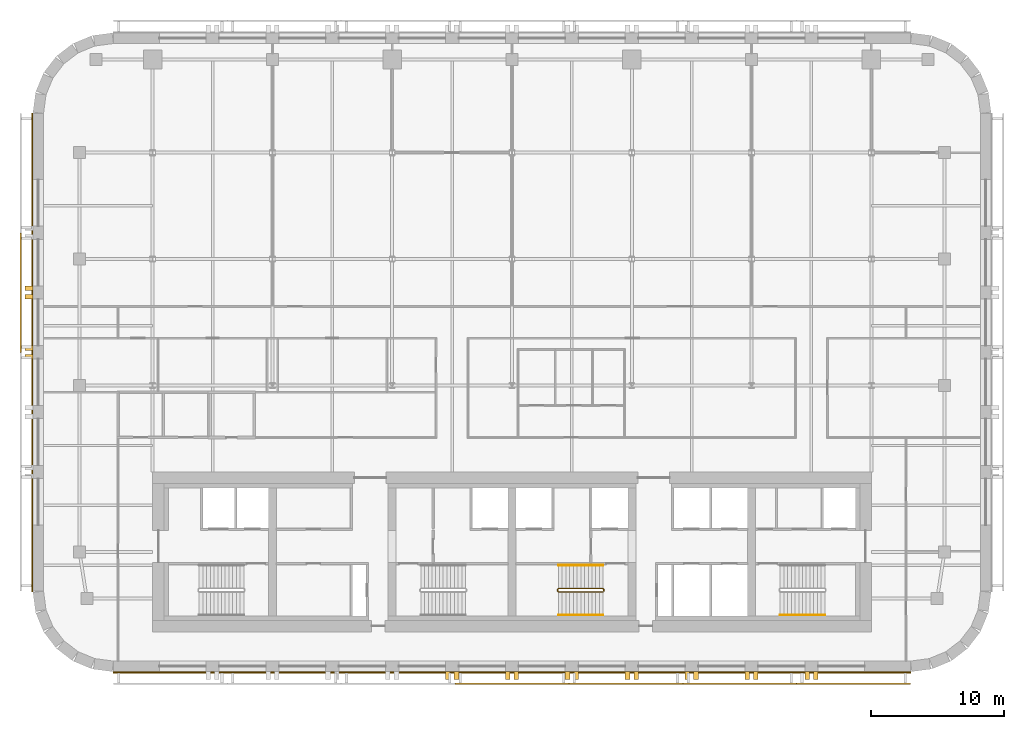
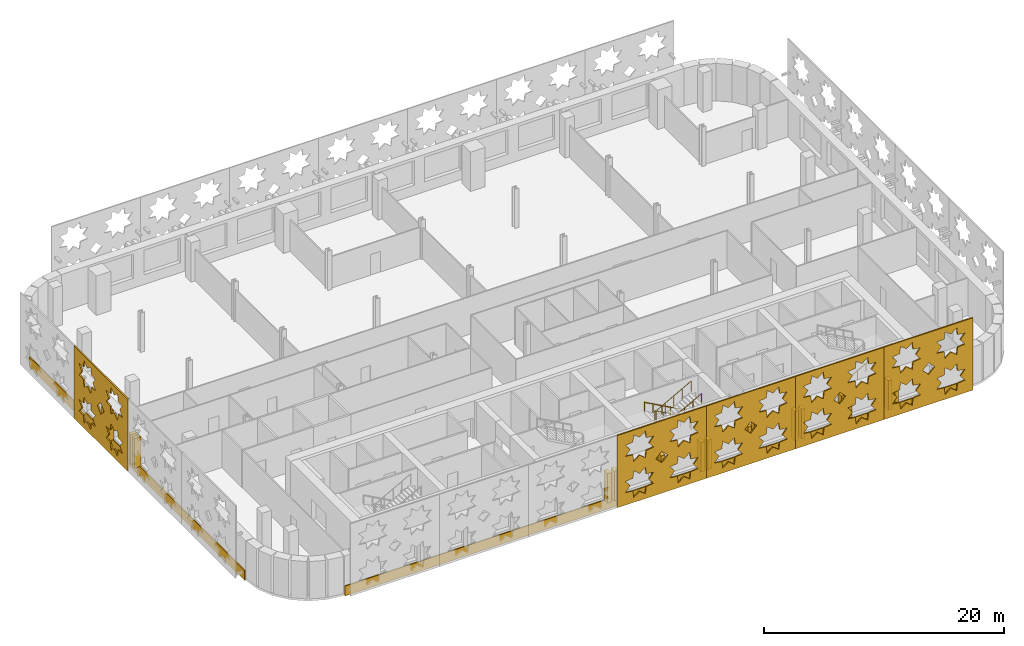
# One storey, part 10 of 12: 25 coverings, 4 railings.
"""IFC4 building model written with IfcOpenShell, lengths in metres."""

from ifc_helpers import new_model, si_unit, direction, frame, origin, origin_2d, place, context, subcontext, project, spatial, polyline, circle, outline, extrude, material, layer, layer_set, type_object, element, save


model = new_model("IFC4")

# Units and contexts
model_context = context("Model", 3, precision=1e-05, world=origin(), true_north=direction((0.0, 1.0)))
body_context = subcontext(model_context, "Body", "Model", "MODEL_VIEW")
ifc_project = project(units=[si_unit("LENGTHUNIT", "METRE"), si_unit("AREAUNIT", "SQUARE_METRE"), si_unit("VOLUMEUNIT", "CUBIC_METRE"), si_unit("PLANEANGLEUNIT", "RADIAN"), si_unit("MASSUNIT", "GRAM", prefix="KILO")], contexts=[model_context])

# Site, building, storey
site_placement = place(None, origin())
site = spatial("IfcSite", under=ifc_project, at=site_placement, CompositionType="ELEMENT")
building_placement = place(site_placement, origin())
building = spatial("IfcBuilding", under=site, at=building_placement, Name="Zellij Exchange Tower", CompositionType="ELEMENT")
storey_placement = place(building_placement, frame((0.0, 0.0, 196.5)))
storey = spatial("IfcBuildingStorey", under=building, at=storey_placement, Name="L45", CompositionType="ELEMENT", Elevation=196.5)

# Railings
ifc_material_1 = material(Name="Stainless steel", Category="steel")
railing_type_1 = type_object("IfcRailingType", Name="CORE-RG stair guard", PredefinedType="GUARDRAIL", material=ifc_material_1)
railing_1_placement = place(storey_placement, frame((6.89990234375, -10.800048828125, 0.0)))
element("IfcRailing", 1, at=railing_1_placement, inside=storey, type_object=railing_type_1, Name="ST3 stair guard L45", PredefinedType="GUARDRAIL", context=body_context, shape_type="SweptSolid", body=[
    extrude(circle(Radius=0.02392578125, at=origin_2d()), frame((0.0, 0.0, 1.076171875), z_axis=(0.0, -1.0, 0.0), x_axis=(1.0, 0.0, 0.0)), (0.0, 0.0, 1.0), 0.14990234375),
    extrude(circle(Radius=0.02392578125, at=origin_2d()), frame((0.0, -0.14990234375, 1.076171875), z_axis=(-0.193691321961, 0.777613689637, 0.598164376644), x_axis=(-0.970351222016, -0.241699205484, 0.0)), (0.0, 0.0, 1.0), 0.257080078125),
    extrude(circle(Radius=0.02392578125, at=origin_2d()), frame((-0.0498046875, 0.050048828125, 1.22998046875), z_axis=(-0.876421534553, 0.0, 0.481544695509), x_axis=(0.0, -1.0, 0.0)), (0.0, 0.0, 1.0), 3.833984375),
    extrude(circle(Radius=0.02392578125, at=origin_2d()), frame((-3.409912109375, 0.050048828125, 3.076171875), z_axis=(-0.707106781187, -0.707106781187, 0.0), x_axis=(0.707106781187, -0.707106781187, 0.0)), (0.0, 0.0, 1.0), 0.07080078125),
    extrude(circle(Radius=0.02392578125, at=origin_2d()), frame((-3.4599609375, 0.0, 3.076171875), z_axis=(0.0, -1.0, 0.0), x_axis=(1.0, 0.0, 0.0)), (0.0, 0.0, 1.0), 0.14990234375),
    extrude(circle(Radius=0.02392578125, at=origin_2d()), frame((-3.4599609375, -0.14990234375, 3.076171875), z_axis=(0.295599637079, -0.295599637079, 0.908428152975), x_axis=(0.707106781187, 0.707106781187, 0.0)), (0.0, 0.0, 1.0), 0.16943359375),
    extrude(circle(Radius=0.02392578125, at=origin_2d()), frame((-3.409912109375, -0.199951171875, 3.22998046875), z_axis=(0.876421534553, 0.0, 0.481544695509), x_axis=(0.0, 1.0, 0.0)), (0.0, 0.0, 1.0), 3.833984375),
    extrude(circle(Radius=0.02099609375, at=origin_2d()), origin(), (0.0, 0.0, 1.0), 1.052001953125),
    extrude(circle(Radius=0.02099609375, at=origin_2d()), frame((0.0, -0.14990234375, 0.0)), (0.0, 0.0, 1.0), 1.052001953125),
    extrude(circle(Radius=0.02099609375, at=origin_2d()), frame((-0.0498046875, 0.050048828125, 0.15380859375)), (0.0, 0.0, 1.0), 1.052001953125),
    extrude(circle(Radius=0.02099609375, at=origin_2d()), frame((-0.889892578125, 0.050048828125, 0.615234375)), (0.0, 0.0, 1.0), 1.052001953125),
    extrude(circle(Radius=0.02099609375, at=origin_2d()), frame((-1.72998046875, 0.050048828125, 1.076904296875)), (0.0, 0.0, 1.0), 1.052001953125),
    extrude(circle(Radius=0.02099609375, at=origin_2d()), frame((-2.56982421875, 0.050048828125, 1.53857421875)), (0.0, 0.0, 1.0), 1.052001953125),
    extrude(circle(Radius=0.02099609375, at=origin_2d()), frame((-3.409912109375, 0.050048828125, 2.0)), (0.0, 0.0, 1.0), 1.052001953125),
    extrude(circle(Radius=0.02099609375, at=origin_2d()), frame((-3.4599609375, 0.0, 2.0)), (0.0, 0.0, 1.0), 1.052001953125),
    extrude(circle(Radius=0.02099609375, at=origin_2d()), frame((-3.4599609375, -0.14990234375, 2.0)), (0.0, 0.0, 1.0), 1.052001953125),
    extrude(circle(Radius=0.02099609375, at=origin_2d()), frame((-3.409912109375, -0.199951171875, 2.15380859375)), (0.0, 0.0, 1.0), 1.052001953125),
    extrude(circle(Radius=0.02099609375, at=origin_2d()), frame((-2.56982421875, -0.199951171875, 2.615234375)), (0.0, 0.0, 1.0), 1.052001953125),
    extrude(circle(Radius=0.02099609375, at=origin_2d()), frame((-1.72998046875, -0.199951171875, 3.076904296875)), (0.0, 0.0, 1.0), 1.052001953125),
    extrude(circle(Radius=0.02099609375, at=origin_2d()), frame((-0.889892578125, -0.199951171875, 3.53857421875)), (0.0, 0.0, 1.0), 1.052001953125),
    extrude(circle(Radius=0.02099609375, at=origin_2d()), frame((-0.0498046875, -0.199951171875, 4.0)), (0.0, 0.0, 1.0), 1.052001953125),
])
railing_type_2 = type_object("IfcRailingType", Name="CORE-RH stair handrail", PredefinedType="HANDRAIL", material=ifc_material_1)
railing_2_placement = place(storey_placement, frame((6.85009765625, -9.0, 0.15380859375)))
element("IfcRailing", 2, at=railing_2_placement, inside=storey, type_object=railing_type_2, Name="ST3 stair handrail L45", PredefinedType="HANDRAIL", context=body_context, shape_type="SweptSolid", body=[
    extrude(circle(Radius=0.02392578125, at=origin_2d()), frame((0.0, 0.0, 0.8759765625), z_axis=(-0.876421534553, 0.0, 0.481544695509), x_axis=(0.0, -1.0, 0.0)), (0.0, 0.0, 1.0), 3.833984375),
    extrude(circle(Radius=0.02099609375, at=origin_2d()), origin(), (0.0, 0.0, 1.0), 0.851806640625),
    extrude(circle(Radius=0.02099609375, at=origin_2d()), frame((-0.840087890625, 0.0, 0.46142578125)), (0.0, 0.0, 1.0), 0.851806640625),
    extrude(circle(Radius=0.02099609375, at=origin_2d()), frame((-1.68017578125, 0.0, 0.923095703125)), (0.0, 0.0, 1.0), 0.851806640625),
    extrude(circle(Radius=0.02099609375, at=origin_2d()), frame((-2.52001953125, 0.0, 1.384765625)), (0.0, 0.0, 1.0), 0.851806640625),
    extrude(circle(Radius=0.02099609375, at=origin_2d()), frame((-3.360107421875, 0.0, 1.84619140625)), (0.0, 0.0, 1.0), 0.851806640625),
])
for number, where, name in (
    (3, (3.489990234375, -12.75, 2.15380859375), "ST3 stair handrail L45"),
    (4, (20.14990234375, -12.75, 0.15380859375), "ST4 stair handrail L45"),
):
    element("IfcRailing", number, at=place(storey_placement, frame(where)), inside=storey, type_object=railing_type_2, Name=name, PredefinedType="HANDRAIL", context=body_context, shape_type="SweptSolid", body=[
        extrude(circle(Radius=0.02392578125, at=origin_2d()), frame((0.0, 0.0, 0.8759765625), z_axis=(0.876421534553, 0.0, 0.481544695509), x_axis=(0.0, 1.0, 0.0)), (0.0, 0.0, 1.0), 3.833984375),
        extrude(circle(Radius=0.02099609375, at=origin_2d()), origin(), (0.0, 0.0, 1.0), 0.851806640625),
        extrude(circle(Radius=0.02099609375, at=origin_2d()), frame((0.840087890625, 0.0, 0.46142578125)), (0.0, 0.0, 1.0), 0.851806640625),
        extrude(circle(Radius=0.02099609375, at=origin_2d()), frame((1.68017578125, 0.0, 0.923095703125)), (0.0, 0.0, 1.0), 0.851806640625),
        extrude(circle(Radius=0.02099609375, at=origin_2d()), frame((2.52001953125, 0.0, 1.384765625)), (0.0, 0.0, 1.0), 0.851806640625),
        extrude(circle(Radius=0.02099609375, at=origin_2d()), frame((3.360107421875, 0.0, 1.84619140625)), (0.0, 0.0, 1.0), 0.851806640625),
    ])

# Coverings
ifc_material_2 = material(Name="Limestone cladding", Category="masonry")
covering_type_1 = type_object("IfcCoveringType", Name="ENV-CV3 Stone pier 350x600", PredefinedType="CLADDING", material=ifc_material_2)
covering_1_placement = place(storey_placement, frame((0.0, 0.0, 0.800048828125)))
element("IfcCovering", 5, at=covering_1_placement, inside=storey, type_object=covering_type_1, Name="Stone pier", PredefinedType="CLADDING", context=body_context, shape_type="SweptSolid", body=[
    extrude(outline(polyline([(-5.0, -17.0), (-4.64990234375, -17.0), (-4.64990234375, -17.60009765625), (-5.0, -17.60009765625), (-5.0, -17.0)])), origin(), (0.0, 0.0, 1.0), 3.0),
])
covering_2_placement = place(storey_placement, frame((0.0, 0.0, 0.800048828125)))
element("IfcCovering", 6, at=covering_2_placement, inside=storey, type_object=covering_type_1, Name="Stone pier", PredefinedType="CLADDING", context=body_context, shape_type="SweptSolid", body=[
    extrude(outline(polyline([(-4.35009765625, -17.0), (-4.0, -17.0), (-4.0, -17.60009765625), (-4.35009765625, -17.60009765625), (-4.35009765625, -17.0)])), origin(), (0.0, 0.0, 1.0), 3.0),
])
covering_3_placement = place(storey_placement, frame((0.0, 0.0, 0.800048828125)))
element("IfcCovering", 7, at=covering_3_placement, inside=storey, type_object=covering_type_1, Name="Stone pier", PredefinedType="CLADDING", context=body_context, shape_type="SweptSolid", body=[
    extrude(outline(polyline([(-0.5, -17.0), (-0.14990234375, -17.0), (-0.14990234375, -17.60009765625), (-0.5, -17.60009765625), (-0.5, -17.0)])), origin(), (0.0, 0.0, 1.0), 3.0),
])
covering_4_placement = place(storey_placement, frame((0.0, 0.0, 0.800048828125)))
element("IfcCovering", 8, at=covering_4_placement, inside=storey, type_object=covering_type_1, Name="Stone pier", PredefinedType="CLADDING", context=body_context, shape_type="SweptSolid", body=[
    extrude(outline(polyline([(0.14990234375, -17.0), (0.5, -17.0), (0.5, -17.60009765625), (0.14990234375, -17.60009765625), (0.14990234375, -17.0)])), origin(), (0.0, 0.0, 1.0), 3.0),
])
covering_5_placement = place(storey_placement, frame((0.0, 0.0, 0.800048828125)))
element("IfcCovering", 9, at=covering_5_placement, inside=storey, type_object=covering_type_1, Name="Stone pier", PredefinedType="CLADDING", context=body_context, shape_type="SweptSolid", body=[
    extrude(outline(polyline([(4.0, -17.0), (4.35009765625, -17.0), (4.35009765625, -17.60009765625), (4.0, -17.60009765625), (4.0, -17.0)])), origin(), (0.0, 0.0, 1.0), 3.0),
])
covering_6_placement = place(storey_placement, frame((0.0, 0.0, 0.800048828125)))
element("IfcCovering", 10, at=covering_6_placement, inside=storey, type_object=covering_type_1, Name="Stone pier", PredefinedType="CLADDING", context=body_context, shape_type="SweptSolid", body=[
    extrude(outline(polyline([(4.64990234375, -17.0), (5.0, -17.0), (5.0, -17.60009765625), (4.64990234375, -17.60009765625), (4.64990234375, -17.0)])), origin(), (0.0, 0.0, 1.0), 3.0),
])
covering_7_placement = place(storey_placement, frame((0.0, 0.0, 0.800048828125)))
element("IfcCovering", 11, at=covering_7_placement, inside=storey, type_object=covering_type_1, Name="Stone pier", PredefinedType="CLADDING", context=body_context, shape_type="SweptSolid", body=[
    extrude(outline(polyline([(8.5, -17.0), (8.85009765625, -17.0), (8.85009765625, -17.60009765625), (8.5, -17.60009765625), (8.5, -17.0)])), origin(), (0.0, 0.0, 1.0), 3.0),
])
covering_8_placement = place(storey_placement, frame((0.0, 0.0, 0.800048828125)))
element("IfcCovering", 12, at=covering_8_placement, inside=storey, type_object=covering_type_1, Name="Stone pier", PredefinedType="CLADDING", context=body_context, shape_type="SweptSolid", body=[
    extrude(outline(polyline([(9.14990234375, -17.0), (9.5, -17.0), (9.5, -17.60009765625), (9.14990234375, -17.60009765625), (9.14990234375, -17.0)])), origin(), (0.0, 0.0, 1.0), 3.0),
])
covering_9_placement = place(storey_placement, frame((0.0, 0.0, 0.800048828125)))
element("IfcCovering", 13, at=covering_9_placement, inside=storey, type_object=covering_type_1, Name="Stone pier", PredefinedType="CLADDING", context=body_context, shape_type="SweptSolid", body=[
    extrude(outline(polyline([(13.0, -17.0), (13.35009765625, -17.0), (13.35009765625, -17.60009765625), (13.0, -17.60009765625), (13.0, -17.0)])), origin(), (0.0, 0.0, 1.0), 3.0),
])
covering_10_placement = place(storey_placement, frame((0.0, 0.0, 0.800048828125)))
element("IfcCovering", 14, at=covering_10_placement, inside=storey, type_object=covering_type_1, Name="Stone pier", PredefinedType="CLADDING", context=body_context, shape_type="SweptSolid", body=[
    extrude(outline(polyline([(13.64990234375, -17.0), (14.0, -17.0), (14.0, -17.60009765625), (13.64990234375, -17.60009765625), (13.64990234375, -17.0)])), origin(), (0.0, 0.0, 1.0), 3.0),
])
covering_11_placement = place(storey_placement, frame((0.0, 0.0, 0.800048828125)))
element("IfcCovering", 15, at=covering_11_placement, inside=storey, type_object=covering_type_1, Name="Stone pier", PredefinedType="CLADDING", context=body_context, shape_type="SweptSolid", body=[
    extrude(outline(polyline([(17.5, -17.0), (17.85009765625, -17.0), (17.85009765625, -17.60009765625), (17.5, -17.60009765625), (17.5, -17.0)])), origin(), (0.0, 0.0, 1.0), 3.0),
])
covering_12_placement = place(storey_placement, frame((0.0, 0.0, 0.800048828125)))
element("IfcCovering", 16, at=covering_12_placement, inside=storey, type_object=covering_type_1, Name="Stone pier", PredefinedType="CLADDING", context=body_context, shape_type="SweptSolid", body=[
    extrude(outline(polyline([(18.14990234375, -17.0), (18.5, -17.0), (18.5, -17.60009765625), (18.14990234375, -17.60009765625), (18.14990234375, -17.0)])), origin(), (0.0, 0.0, 1.0), 3.0),
])
covering_13_placement = place(storey_placement, frame((0.0, 0.0, 0.800048828125)))
element("IfcCovering", 17, at=covering_13_placement, inside=storey, type_object=covering_type_1, Name="Stone pier", PredefinedType="CLADDING", context=body_context, shape_type="SweptSolid", body=[
    extrude(outline(polyline([(22.0, -17.0), (22.35009765625, -17.0), (22.35009765625, -17.60009765625), (22.0, -17.60009765625), (22.0, -17.0)])), origin(), (0.0, 0.0, 1.0), 3.0),
])
covering_14_placement = place(storey_placement, frame((0.0, 0.0, 0.800048828125)))
element("IfcCovering", 18, at=covering_14_placement, inside=storey, type_object=covering_type_1, Name="Stone pier", PredefinedType="CLADDING", context=body_context, shape_type="SweptSolid", body=[
    extrude(outline(polyline([(22.64990234375, -17.0), (23.0, -17.0), (23.0, -17.60009765625), (22.64990234375, -17.60009765625), (22.64990234375, -17.0)])), origin(), (0.0, 0.0, 1.0), 3.0),
])
covering_15_placement = place(storey_placement, frame((0.0, 0.0, 0.800048828125)))
element("IfcCovering", 19, at=covering_15_placement, inside=storey, type_object=covering_type_1, Name="Stone pier", PredefinedType="CLADDING", context=body_context, shape_type="SweptSolid", body=[
    extrude(outline(polyline([(-36.0, 11.993408203125), (-36.0, 11.6435546875), (-36.60009765625, 11.6435546875), (-36.60009765625, 11.993408203125), (-36.0, 11.993408203125)])), origin(), (0.0, 0.0, 1.0), 3.0),
])
covering_16_placement = place(storey_placement, frame((0.0, 0.0, 0.800048828125)))
element("IfcCovering", 20, at=covering_16_placement, inside=storey, type_object=covering_type_1, Name="Stone pier", PredefinedType="CLADDING", context=body_context, shape_type="SweptSolid", body=[
    extrude(outline(polyline([(-36.0, 11.343505859375), (-36.0, 10.993408203125), (-36.60009765625, 10.993408203125), (-36.60009765625, 11.343505859375), (-36.0, 11.343505859375)])), origin(), (0.0, 0.0, 1.0), 3.0),
])
covering_17_placement = place(storey_placement, frame((0.0, 0.0, 0.800048828125)))
element("IfcCovering", 21, at=covering_17_placement, inside=storey, type_object=covering_type_1, Name="Stone pier", PredefinedType="CLADDING", context=body_context, shape_type="SweptSolid", body=[
    extrude(outline(polyline([(-36.0, 7.5), (-36.0, 7.14990234375), (-36.60009765625, 7.14990234375), (-36.60009765625, 7.5), (-36.0, 7.5)])), origin(), (0.0, 0.0, 1.0), 3.0),
])
covering_18_placement = place(storey_placement, frame((0.0, 0.0, 0.800048828125)))
element("IfcCovering", 22, at=covering_18_placement, inside=storey, type_object=covering_type_1, Name="Stone pier", PredefinedType="CLADDING", context=body_context, shape_type="SweptSolid", body=[
    extrude(outline(polyline([(-36.0, 6.85009765625), (-36.0, 6.5), (-36.60009765625, 6.5), (-36.60009765625, 6.85009765625), (-36.0, 6.85009765625)])), origin(), (0.0, 0.0, 1.0), 3.0),
])
ifc_layer_1 = layer(ifc_material_2, 0.10009765625)
ifc_layer_set_1 = layer_set([ifc_layer_1], Name="Limestone cladding")
covering_type_2 = type_object("IfcCoveringType", Name="ENV-CV9 Stone spandrel band 100", PredefinedType="CLADDING", material=ifc_layer_set_1)
covering_19_placement = place(storey_placement, frame((0.0, 0.0, -0.199951171875)))
element("IfcCovering", 23, at=covering_19_placement, inside=storey, type_object=covering_type_2, Name="Stone spandrel band", PredefinedType="CLADDING", context=body_context, shape_type="SweptSolid", body=[
    extrude(outline(polyline([(-29.973876953125, -17.0), (29.973876953125, -17.0), (29.980224609375, -17.10009765625), (-29.980224609375, -17.10009765625), (-29.973876953125, -17.0)])), origin(), (0.0, 0.0, 1.0), 1.0),
])
covering_20_placement = place(storey_placement, frame((0.0, 0.0, -0.199951171875)))
element("IfcCovering", 24, at=covering_20_placement, inside=storey, type_object=covering_type_2, Name="Stone spandrel band", PredefinedType="CLADDING", context=body_context, shape_type="SweptSolid", body=[
    extrude(outline(polyline([(-36.0, 24.973876953125), (-36.0, -10.973876953125), (-36.10009765625, -10.980224609375), (-36.10009765625, 24.980224609375), (-36.0, 24.973876953125)])), origin(), (0.0, 0.0, 1.0), 1.0),
])
ifc_material_3 = material(Name="Limestone screen", Category="masonry")
ifc_layer_2 = layer(ifc_material_3, 0.1201171875)
ifc_layer_set_2 = layer_set([ifc_layer_2], Name="Limestone screen")
covering_type_3 = type_object("IfcCoveringType", Name="ENV-SC1 Pierced stone screen 120", PredefinedType="USERDEFINED", material=ifc_layer_set_2)
covering_21_placement = place(storey_placement, frame((-36.909912109375, 15.973876953125, 0.300048828125), z_axis=(0.0, 0.0, 1.0), x_axis=(0.0, -1.0, 0.0)))
element("IfcCovering", 25, at=covering_21_placement, inside=storey, type_object=covering_type_3, Name="Pierced stone screen", ObjectType="SCREEN", PredefinedType="USERDEFINED", context=body_context, shape_type="SweptSolid", body=[
    extrude(outline(polyline([(0.0, 0.0), (8.973876953125, 0.0), (8.973876953125, 7.35009765625), (0.0, 7.35009765625), (0.0, 0.0)]), holes=[polyline([(3.6015625, 2.39990234375), (2.887939453125, 2.48193359375), (2.805908203125, 3.195556640625), (2.243408203125, 2.748779296875), (1.680908203125, 3.195556640625), (1.59912109375, 2.48193359375), (0.88525390625, 2.39990234375), (1.33203125, 1.83740234375), (0.88525390625, 1.27490234375), (1.59912109375, 1.193115234375), (1.680908203125, 0.4794921875), (2.243408203125, 0.926025390625), (2.805908203125, 0.4794921875), (2.887939453125, 1.193115234375), (3.6015625, 1.27490234375), (3.15478515625, 1.83740234375), (3.6015625, 2.39990234375)]), polyline([(3.6015625, 6.074951171875), (2.887939453125, 6.156982421875), (2.805908203125, 6.87060546875), (2.243408203125, 6.423828125), (1.680908203125, 6.87060546875), (1.59912109375, 6.156982421875), (0.88525390625, 6.074951171875), (1.33203125, 5.512451171875), (0.88525390625, 4.949951171875), (1.59912109375, 4.867919921875), (1.680908203125, 4.154296875), (2.243408203125, 4.60107421875), (2.805908203125, 4.154296875), (2.887939453125, 4.867919921875), (3.6015625, 4.949951171875), (3.15478515625, 5.512451171875), (3.6015625, 6.074951171875)]), polyline([(8.08837890625, 2.39990234375), (7.374755859375, 2.48193359375), (7.29296875, 3.195556640625), (6.730224609375, 2.748779296875), (6.167724609375, 3.195556640625), (6.0859375, 2.48193359375), (5.372314453125, 2.39990234375), (5.81884765625, 1.83740234375), (5.372314453125, 1.27490234375), (6.0859375, 1.193115234375), (6.167724609375, 0.4794921875), (6.730224609375, 0.926025390625), (7.29296875, 0.4794921875), (7.374755859375, 1.193115234375), (8.08837890625, 1.27490234375), (7.6416015625, 1.83740234375), (8.08837890625, 2.39990234375)]), polyline([(8.08837890625, 6.074951171875), (7.374755859375, 6.156982421875), (7.29296875, 6.87060546875), (6.730224609375, 6.423828125), (6.167724609375, 6.87060546875), (6.0859375, 6.156982421875), (5.372314453125, 6.074951171875), (5.81884765625, 5.512451171875), (5.372314453125, 4.949951171875), (6.0859375, 4.867919921875), (6.167724609375, 4.154296875), (6.730224609375, 4.60107421875), (7.29296875, 4.154296875), (7.374755859375, 4.867919921875), (8.08837890625, 4.949951171875), (7.6416015625, 5.512451171875), (8.08837890625, 6.074951171875)]), polyline([(5.074951171875, 3.675048828125), (4.48681640625, 4.262939453125), (3.89892578125, 3.675048828125), (4.48681640625, 3.0869140625), (5.074951171875, 3.675048828125)])]), frame((0.0, 0.06005859375, 0.0), z_axis=(0.0, -1.0, 0.0), x_axis=(1.0, 0.0, 0.0)), (0.0, 0.0, 1.0), 0.1201171875),
])
covering_22_placement = place(storey_placement, frame((-4.2783203125, -17.909912109375, 0.300048828125), z_axis=(0.0, 0.0, 1.0), x_axis=(1.0, 0.0, 0.0)))
element("IfcCovering", 26, at=covering_22_placement, inside=storey, type_object=covering_type_3, Name="Pierced stone screen", ObjectType="SCREEN", PredefinedType="USERDEFINED", context=body_context, shape_type="SweptSolid", body=[
    extrude(outline(polyline([(0.0, 0.0), (8.556396484375, 0.0), (8.556396484375, 7.35009765625), (0.0, 7.35009765625), (0.0, 0.0)]), holes=[polyline([(3.497314453125, 2.39990234375), (2.78369140625, 2.48193359375), (2.70166015625, 3.195556640625), (2.13916015625, 2.748779296875), (1.57666015625, 3.195556640625), (1.49462890625, 2.48193359375), (0.781005859375, 2.39990234375), (1.227783203125, 1.83740234375), (0.781005859375, 1.27490234375), (1.49462890625, 1.193115234375), (1.57666015625, 0.4794921875), (2.13916015625, 0.926025390625), (2.70166015625, 0.4794921875), (2.78369140625, 1.193115234375), (3.497314453125, 1.27490234375), (3.050537109375, 1.83740234375), (3.497314453125, 2.39990234375)]), polyline([(3.497314453125, 6.074951171875), (2.78369140625, 6.156982421875), (2.70166015625, 6.87060546875), (2.13916015625, 6.423828125), (1.57666015625, 6.87060546875), (1.49462890625, 6.156982421875), (0.781005859375, 6.074951171875), (1.227783203125, 5.512451171875), (0.781005859375, 4.949951171875), (1.49462890625, 4.867919921875), (1.57666015625, 4.154296875), (2.13916015625, 4.60107421875), (2.70166015625, 4.154296875), (2.78369140625, 4.867919921875), (3.497314453125, 4.949951171875), (3.050537109375, 5.512451171875), (3.497314453125, 6.074951171875)]), polyline([(7.775390625, 2.39990234375), (7.061767578125, 2.48193359375), (6.97998046875, 3.195556640625), (6.417236328125, 2.748779296875), (5.854736328125, 3.195556640625), (5.77294921875, 2.48193359375), (5.05908203125, 2.39990234375), (5.505859375, 1.83740234375), (5.05908203125, 1.27490234375), (5.77294921875, 1.193115234375), (5.854736328125, 0.4794921875), (6.417236328125, 0.926025390625), (6.97998046875, 0.4794921875), (7.061767578125, 1.193115234375), (7.775390625, 1.27490234375), (7.32861328125, 1.83740234375), (7.775390625, 2.39990234375)]), polyline([(7.775390625, 6.074951171875), (7.061767578125, 6.156982421875), (6.97998046875, 6.87060546875), (6.417236328125, 6.423828125), (5.854736328125, 6.87060546875), (5.77294921875, 6.156982421875), (5.05908203125, 6.074951171875), (5.505859375, 5.512451171875), (5.05908203125, 4.949951171875), (5.77294921875, 4.867919921875), (5.854736328125, 4.154296875), (6.417236328125, 4.60107421875), (6.97998046875, 4.154296875), (7.061767578125, 4.867919921875), (7.775390625, 4.949951171875), (7.32861328125, 5.512451171875), (7.775390625, 6.074951171875)]), polyline([(4.8662109375, 3.675048828125), (4.2783203125, 4.262939453125), (3.690185546875, 3.675048828125), (4.2783203125, 3.0869140625), (4.8662109375, 3.675048828125)])]), frame((0.0, 0.06005859375, 0.0), z_axis=(0.0, -1.0, 0.0), x_axis=(1.0, 0.0, 0.0)), (0.0, 0.0, 1.0), 0.1201171875),
])
covering_23_placement = place(storey_placement, frame((4.2783203125, -17.909912109375, 0.300048828125), z_axis=(0.0, 0.0, 1.0), x_axis=(1.0, 0.0, 0.0)))
element("IfcCovering", 27, at=covering_23_placement, inside=storey, type_object=covering_type_3, Name="Pierced stone screen", ObjectType="SCREEN", PredefinedType="USERDEFINED", context=body_context, shape_type="SweptSolid", body=[
    extrude(outline(polyline([(0.0, 0.0), (8.556396484375, 0.0), (8.556396484375, 7.35009765625), (0.0, 7.35009765625), (0.0, 0.0)]), holes=[polyline([(3.497314453125, 2.39990234375), (2.78369140625, 2.48193359375), (2.70166015625, 3.195556640625), (2.13916015625, 2.748779296875), (1.57666015625, 3.195556640625), (1.49462890625, 2.48193359375), (0.781005859375, 2.39990234375), (1.227783203125, 1.83740234375), (0.781005859375, 1.27490234375), (1.49462890625, 1.193115234375), (1.57666015625, 0.4794921875), (2.13916015625, 0.926025390625), (2.70166015625, 0.4794921875), (2.78369140625, 1.193115234375), (3.497314453125, 1.27490234375), (3.050537109375, 1.83740234375), (3.497314453125, 2.39990234375)]), polyline([(3.497314453125, 6.074951171875), (2.78369140625, 6.156982421875), (2.70166015625, 6.87060546875), (2.13916015625, 6.423828125), (1.57666015625, 6.87060546875), (1.49462890625, 6.156982421875), (0.781005859375, 6.074951171875), (1.227783203125, 5.512451171875), (0.781005859375, 4.949951171875), (1.49462890625, 4.867919921875), (1.57666015625, 4.154296875), (2.13916015625, 4.60107421875), (2.70166015625, 4.154296875), (2.78369140625, 4.867919921875), (3.497314453125, 4.949951171875), (3.050537109375, 5.512451171875), (3.497314453125, 6.074951171875)]), polyline([(7.775390625, 2.39990234375), (7.061767578125, 2.48193359375), (6.97998046875, 3.195556640625), (6.417236328125, 2.748779296875), (5.854736328125, 3.195556640625), (5.77294921875, 2.48193359375), (5.05908203125, 2.39990234375), (5.505859375, 1.83740234375), (5.05908203125, 1.27490234375), (5.77294921875, 1.193115234375), (5.854736328125, 0.4794921875), (6.417236328125, 0.926025390625), (6.97998046875, 0.4794921875), (7.061767578125, 1.193115234375), (7.775390625, 1.27490234375), (7.32861328125, 1.83740234375), (7.775390625, 2.39990234375)]), polyline([(7.775390625, 6.074951171875), (7.061767578125, 6.156982421875), (6.97998046875, 6.87060546875), (6.417236328125, 6.423828125), (5.854736328125, 6.87060546875), (5.77294921875, 6.156982421875), (5.05908203125, 6.074951171875), (5.505859375, 5.512451171875), (5.05908203125, 4.949951171875), (5.77294921875, 4.867919921875), (5.854736328125, 4.154296875), (6.417236328125, 4.60107421875), (6.97998046875, 4.154296875), (7.061767578125, 4.867919921875), (7.775390625, 4.949951171875), (7.32861328125, 5.512451171875), (7.775390625, 6.074951171875)]), polyline([(4.8662109375, 3.675048828125), (4.2783203125, 4.262939453125), (3.690185546875, 3.675048828125), (4.2783203125, 3.0869140625), (4.8662109375, 3.675048828125)])]), frame((0.0, 0.06005859375, 0.0), z_axis=(0.0, -1.0, 0.0), x_axis=(1.0, 0.0, 0.0)), (0.0, 0.0, 1.0), 0.1201171875),
])
covering_24_placement = place(storey_placement, frame((12.834716796875, -17.909912109375, 0.300048828125), z_axis=(0.0, 0.0, 1.0), x_axis=(1.0, 0.0, 0.0)))
element("IfcCovering", 28, at=covering_24_placement, inside=storey, type_object=covering_type_3, Name="Pierced stone screen", ObjectType="SCREEN", PredefinedType="USERDEFINED", context=body_context, shape_type="SweptSolid", body=[
    extrude(outline(polyline([(0.0, 0.0), (8.556396484375, 0.0), (8.556396484375, 7.35009765625), (0.0, 7.35009765625), (0.0, 0.0)]), holes=[polyline([(3.497314453125, 2.39990234375), (2.78369140625, 2.48193359375), (2.70166015625, 3.195556640625), (2.13916015625, 2.748779296875), (1.57666015625, 3.195556640625), (1.49462890625, 2.48193359375), (0.781005859375, 2.39990234375), (1.227783203125, 1.83740234375), (0.781005859375, 1.27490234375), (1.49462890625, 1.193115234375), (1.57666015625, 0.4794921875), (2.13916015625, 0.926025390625), (2.70166015625, 0.4794921875), (2.78369140625, 1.193115234375), (3.497314453125, 1.27490234375), (3.050537109375, 1.83740234375), (3.497314453125, 2.39990234375)]), polyline([(3.497314453125, 6.074951171875), (2.78369140625, 6.156982421875), (2.70166015625, 6.87060546875), (2.13916015625, 6.423828125), (1.57666015625, 6.87060546875), (1.49462890625, 6.156982421875), (0.781005859375, 6.074951171875), (1.227783203125, 5.512451171875), (0.781005859375, 4.949951171875), (1.49462890625, 4.867919921875), (1.57666015625, 4.154296875), (2.13916015625, 4.60107421875), (2.70166015625, 4.154296875), (2.78369140625, 4.867919921875), (3.497314453125, 4.949951171875), (3.050537109375, 5.512451171875), (3.497314453125, 6.074951171875)]), polyline([(7.775390625, 2.39990234375), (7.061767578125, 2.48193359375), (6.97998046875, 3.195556640625), (6.417236328125, 2.748779296875), (5.854736328125, 3.195556640625), (5.77294921875, 2.48193359375), (5.05908203125, 2.39990234375), (5.505859375, 1.83740234375), (5.05908203125, 1.27490234375), (5.77294921875, 1.193115234375), (5.854736328125, 0.4794921875), (6.417236328125, 0.926025390625), (6.97998046875, 0.4794921875), (7.061767578125, 1.193115234375), (7.775390625, 1.27490234375), (7.32861328125, 1.83740234375), (7.775390625, 2.39990234375)]), polyline([(7.775390625, 6.074951171875), (7.061767578125, 6.156982421875), (6.97998046875, 6.87060546875), (6.417236328125, 6.423828125), (5.854736328125, 6.87060546875), (5.77294921875, 6.156982421875), (5.05908203125, 6.074951171875), (5.505859375, 5.512451171875), (5.05908203125, 4.949951171875), (5.77294921875, 4.867919921875), (5.854736328125, 4.154296875), (6.417236328125, 4.60107421875), (6.97998046875, 4.154296875), (7.061767578125, 4.867919921875), (7.775390625, 4.949951171875), (7.32861328125, 5.512451171875), (7.775390625, 6.074951171875)]), polyline([(4.8662109375, 3.675048828125), (4.2783203125, 4.262939453125), (3.690185546875, 3.675048828125), (4.2783203125, 3.0869140625), (4.8662109375, 3.675048828125)])]), frame((0.0, 0.06005859375, 0.0), z_axis=(0.0, -1.0, 0.0), x_axis=(1.0, 0.0, 0.0)), (0.0, 0.0, 1.0), 0.1201171875),
])
covering_25_placement = place(storey_placement, frame((21.39111328125, -17.909912109375, 0.300048828125), z_axis=(0.0, 0.0, 1.0), x_axis=(1.0, 0.0, 0.0)))
element("IfcCovering", 29, at=covering_25_placement, inside=storey, type_object=covering_type_3, Name="Pierced stone screen", ObjectType="SCREEN", PredefinedType="USERDEFINED", context=body_context, shape_type="SweptSolid", body=[
    extrude(outline(polyline([(0.0, 0.0), (8.556396484375, 0.0), (8.556396484375, 7.35009765625), (0.0, 7.35009765625), (0.0, 0.0)]), holes=[polyline([(3.497314453125, 2.39990234375), (2.78369140625, 2.48193359375), (2.70166015625, 3.195556640625), (2.13916015625, 2.748779296875), (1.57666015625, 3.195556640625), (1.49462890625, 2.48193359375), (0.781005859375, 2.39990234375), (1.227783203125, 1.83740234375), (0.781005859375, 1.27490234375), (1.49462890625, 1.193115234375), (1.57666015625, 0.4794921875), (2.13916015625, 0.926025390625), (2.70166015625, 0.4794921875), (2.78369140625, 1.193115234375), (3.497314453125, 1.27490234375), (3.050537109375, 1.83740234375), (3.497314453125, 2.39990234375)]), polyline([(3.497314453125, 6.074951171875), (2.78369140625, 6.156982421875), (2.70166015625, 6.87060546875), (2.13916015625, 6.423828125), (1.57666015625, 6.87060546875), (1.49462890625, 6.156982421875), (0.781005859375, 6.074951171875), (1.227783203125, 5.512451171875), (0.781005859375, 4.949951171875), (1.49462890625, 4.867919921875), (1.57666015625, 4.154296875), (2.13916015625, 4.60107421875), (2.70166015625, 4.154296875), (2.78369140625, 4.867919921875), (3.497314453125, 4.949951171875), (3.050537109375, 5.512451171875), (3.497314453125, 6.074951171875)]), polyline([(7.775390625, 2.39990234375), (7.061767578125, 2.48193359375), (6.97998046875, 3.195556640625), (6.417236328125, 2.748779296875), (5.854736328125, 3.195556640625), (5.77294921875, 2.48193359375), (5.05908203125, 2.39990234375), (5.505859375, 1.83740234375), (5.05908203125, 1.27490234375), (5.77294921875, 1.193115234375), (5.854736328125, 0.4794921875), (6.417236328125, 0.926025390625), (6.97998046875, 0.4794921875), (7.061767578125, 1.193115234375), (7.775390625, 1.27490234375), (7.32861328125, 1.83740234375), (7.775390625, 2.39990234375)]), polyline([(7.775390625, 6.074951171875), (7.061767578125, 6.156982421875), (6.97998046875, 6.87060546875), (6.417236328125, 6.423828125), (5.854736328125, 6.87060546875), (5.77294921875, 6.156982421875), (5.05908203125, 6.074951171875), (5.505859375, 5.512451171875), (5.05908203125, 4.949951171875), (5.77294921875, 4.867919921875), (5.854736328125, 4.154296875), (6.417236328125, 4.60107421875), (6.97998046875, 4.154296875), (7.061767578125, 4.867919921875), (7.775390625, 4.949951171875), (7.32861328125, 5.512451171875), (7.775390625, 6.074951171875)]), polyline([(4.8662109375, 3.675048828125), (4.2783203125, 4.262939453125), (3.690185546875, 3.675048828125), (4.2783203125, 3.0869140625), (4.8662109375, 3.675048828125)])]), frame((0.0, 0.06005859375, 0.0), z_axis=(0.0, -1.0, 0.0), x_axis=(1.0, 0.0, 0.0)), (0.0, 0.0, 1.0), 0.1201171875),
])

save(model, "model.ifc")
